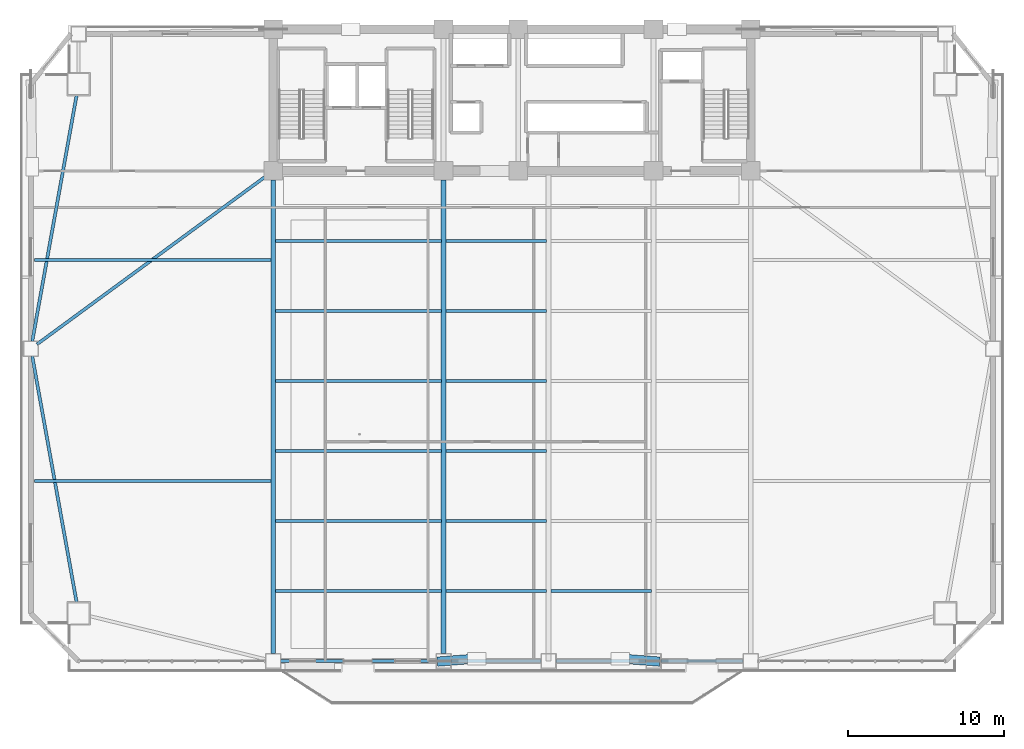
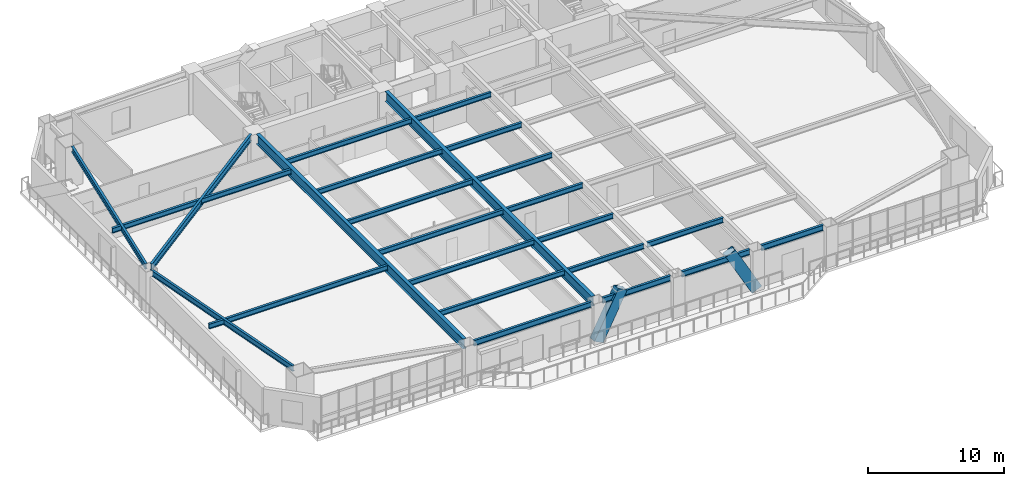
# One storey, part 3 of 16: 24 beams, 2 members.
"""IFC4 building model written with IfcOpenShell, lengths in metres."""

from ifc_helpers import new_model, si_unit, direction, frame, origin, origin_2d, place, context, subcontext, project, spatial, hollow_rectangle, i_section, extrude, source, transform, mapped, material, material_profile, profile_set, type_object, element, save


model = new_model("IFC4")

# Units and contexts
model_context = context("Model", 3, precision=1e-05, world=origin(), true_north=direction((0.0, 1.0)))
body_context = subcontext(model_context, "Body", "Model", "MODEL_VIEW")
ifc_project = project(units=[si_unit("LENGTHUNIT", "METRE"), si_unit("AREAUNIT", "SQUARE_METRE"), si_unit("VOLUMEUNIT", "CUBIC_METRE"), si_unit("PLANEANGLEUNIT", "RADIAN"), si_unit("MASSUNIT", "GRAM", prefix="KILO")], contexts=[model_context])

# Site, building, storey
site_placement = place(None, origin())
site = spatial("IfcSite", under=ifc_project, at=site_placement, CompositionType="ELEMENT")
building_placement = place(site_placement, origin())
building = spatial("IfcBuilding", under=site, at=building_placement, Name="Giltprow Tower", CompositionType="ELEMENT")
storey_placement = place(building_placement, frame((0.0, 0.0, 87.39990234375)))
storey = spatial("IfcBuildingStorey", under=building, at=storey_placement, Name="L21", CompositionType="ELEMENT", Elevation=87.39990234375)

# Beams
ifc_material_1 = material(Name="Structural steel Q355B", Category="steel")
ifc_material_profile_1 = material_profile(ifc_material_1, i_section(OverallWidth=0.199951171875, OverallDepth=0.449951171875, WebThickness=0.009033203125, FlangeThickness=0.013916015625, at=origin_2d()), Name="HN 450x200x9x14")
ifc_profile_set_1 = profile_set([ifc_material_profile_1], Name="Structural steel Q355B")
beam_type_1 = type_object("IfcBeamType", Name="BM-JOIST-HN450", PredefinedType="JOIST", material=ifc_profile_set_1)
shared_shape_1 = source(origin(), body_context, "Body", "SweptSolid", [
    extrude(i_section(OverallWidth=0.199951171875, OverallDepth=0.449951171875, WebThickness=0.009033203125, FlangeThickness=0.013916015625, at=origin_2d()), origin(), (0.0, 0.0, 1.0), 10.659912109375),
])
for number, where, z_axis, x_axis, name in (
    (1, (19.9951171875, 10.43798828125, 3.455078125), (1.0, 0.0, 0.0), (0.0, 1.0, 0.0), "L21 Composite Floor Joist 1-1"),
    (2, (19.9951171875, 14.93994140625, 3.455078125), (1.0, 0.0, 0.0), (0.0, 1.0, 0.0), "L21 Composite Floor Joist 2-1"),
    (3, (19.9951171875, 19.44189453125, 3.455078125), (1.0, 0.0, 0.0), (0.0, 1.0, 0.0), "L21 Composite Floor Joist 3-1"),
    (4, (19.9951171875, 23.944091796875, 3.455078125), (1.0, 0.0, 0.0), (0.0, 1.0, 0.0), "L21 Composite Floor Joist 4-1"),
    (5, (19.9951171875, 28.446044921875, 3.455078125), (1.0, 0.0, 0.0), (0.0, 1.0, 0.0), "L21 Composite Floor Joist 5-1"),
    (6, (19.9951171875, 32.947998046875, 3.455078125), (1.0, 0.0, 0.0), (0.0, 1.0, 0.0), "L21 Composite Floor Joist 6-1"),
):
    element("IfcBeam", number, at=place(storey_placement, frame(where, z_axis=z_axis, x_axis=x_axis)), inside=storey, type_object=beam_type_1, Name=name, PredefinedType="JOIST", context=body_context, shape_type="MappedRepresentation", body=[
        mapped(shared_shape_1, transform((0.0, 0.0, 0.0), x_axis=(1.0, 0.0, 0.0), y_axis=(0.0, 1.0, 0.0), z_axis=(0.0, 0.0, 1.0), scale=1.0)),
    ])
shared_shape_2 = source(origin(), body_context, "Body", "SweptSolid", [
    extrude(i_section(OverallWidth=0.199951171875, OverallDepth=0.449951171875, WebThickness=0.009033203125, FlangeThickness=0.013916015625, at=origin_2d()), origin(), (0.0, 0.0, 1.0), 6.4599609375),
])
for number, where, z_axis, x_axis, name in (
    (7, (30.945068359375, 10.43798828125, 3.455078125), (1.0, 0.0, 0.0), (0.0, 1.0, 0.0), "L21 Composite Floor Joist 1-2"),
    (8, (37.695068359375, 10.43798828125, 3.455078125), (1.0, 0.0, 0.0), (0.0, 1.0, 0.0), "L21 Composite Floor Joist 1-3"),
    (9, (30.945068359375, 14.93994140625, 3.455078125), (1.0, 0.0, 0.0), (0.0, 1.0, 0.0), "L21 Composite Floor Joist 2-2"),
    (10, (30.945068359375, 19.44189453125, 3.455078125), (1.0, 0.0, 0.0), (0.0, 1.0, 0.0), "L21 Composite Floor Joist 3-2"),
    (11, (30.945068359375, 23.944091796875, 3.455078125), (1.0, 0.0, 0.0), (0.0, 1.0, 0.0), "L21 Composite Floor Joist 4-2"),
    (12, (30.945068359375, 28.446044921875, 3.455078125), (1.0, 0.0, 0.0), (0.0, 1.0, 0.0), "L21 Composite Floor Joist 5-2"),
    (13, (30.945068359375, 32.947998046875, 3.455078125), (1.0, 0.0, 0.0), (0.0, 1.0, 0.0), "L21 Composite Floor Joist 6-2"),
):
    element("IfcBeam", number, at=place(storey_placement, frame(where, z_axis=z_axis, x_axis=x_axis)), inside=storey, type_object=beam_type_1, Name=name, PredefinedType="JOIST", context=body_context, shape_type="MappedRepresentation", body=[
        mapped(shared_shape_2, transform((0.0, 0.0, 0.0), x_axis=(1.0, 0.0, 0.0), y_axis=(0.0, 1.0, 0.0), z_axis=(0.0, 0.0, 1.0), scale=1.0)),
    ])
ifc_material_profile_2 = material_profile(ifc_material_1, i_section(OverallWidth=0.199951171875, OverallDepth=0.5, WebThickness=0.010009765625, FlangeThickness=0.01611328125, at=origin_2d()), Name="HN 500x200x10x16")
ifc_profile_set_2 = profile_set([ifc_material_profile_2], Name="Structural steel Q355B")
beam_type_2 = type_object("IfcBeamType", Name="BM-SPAN-HN500", PredefinedType="SPANDREL", material=ifc_profile_set_2)
shared_shape_3 = source(origin(), body_context, "Body", "SweptSolid", [
    extrude(i_section(OverallWidth=0.199951171875, OverallDepth=0.5, WebThickness=0.010009765625, FlangeThickness=0.01611328125, at=origin_2d()), origin(), (0.0, 0.0, 1.0), 9.97998046875),
])
beam_1_placement = place(storey_placement, frame((20.3349609375, 5.93603515625, 3.43017578125), z_axis=(1.0, 0.0, 0.0), x_axis=(0.0, 1.0, 0.0)))
element("IfcBeam", 14, at=beam_1_placement, inside=storey, type_object=beam_type_2, Name="L21 Perimeter Spandrel Beam S1-S2", PredefinedType="SPANDREL", context=body_context, shape_type="MappedRepresentation", body=[
    mapped(shared_shape_3, transform((0.0, 0.0, 0.0), x_axis=(1.0, 0.0, 0.0), y_axis=(0.0, 1.0, 0.0), z_axis=(0.0, 0.0, 1.0), scale=1.0)),
])
shared_shape_4 = source(origin(), body_context, "Body", "SweptSolid", [
    extrude(i_section(OverallWidth=0.199951171875, OverallDepth=0.5, WebThickness=0.010009765625, FlangeThickness=0.01611328125, at=origin_2d()), origin(), (0.0, 0.0, 1.0), 5.780029296875),
])
for number, where, z_axis, x_axis, name in (
    (15, (31.284912109375, 5.93603515625, 3.43017578125), (1.0, 0.0, 0.0), (0.0, 1.0, 0.0), "L21 Perimeter Spandrel Beam S2-S_MID"),
    (16, (38.034912109375, 5.93603515625, 3.43017578125), (1.0, 0.0, 0.0), (0.0, 1.0, 0.0), "L21 Perimeter Spandrel Beam S_MID-S3"),
):
    element("IfcBeam", number, at=place(storey_placement, frame(where, z_axis=z_axis, x_axis=x_axis)), inside=storey, type_object=beam_type_2, Name=name, PredefinedType="SPANDREL", context=body_context, shape_type="MappedRepresentation", body=[
        mapped(shared_shape_4, transform((0.0, 0.0, 0.0), x_axis=(1.0, 0.0, 0.0), y_axis=(0.0, 1.0, 0.0), z_axis=(0.0, 0.0, 1.0), scale=1.0)),
    ])
shared_shape_5 = source(origin(), body_context, "Body", "SweptSolid", [
    extrude(i_section(OverallWidth=0.199951171875, OverallDepth=0.5, WebThickness=0.010009765625, FlangeThickness=0.01611328125, at=origin_2d()), origin(), (0.0, 0.0, 1.0), 5.280029296875),
])
beam_2_placement = place(storey_placement, frame((44.784912109375, 5.93603515625, 3.43017578125), z_axis=(1.0, 0.0, 0.0), x_axis=(0.0, 1.0, 0.0)))
element("IfcBeam", 17, at=beam_2_placement, inside=storey, type_object=beam_type_2, Name="L21 Perimeter Spandrel Beam S3-S4", PredefinedType="SPANDREL", context=body_context, shape_type="MappedRepresentation", body=[
    mapped(shared_shape_5, transform((0.0, 0.0, 0.0), x_axis=(1.0, 0.0, 0.0), y_axis=(0.0, 1.0, 0.0), z_axis=(0.0, 0.0, 1.0), scale=1.0)),
])
shared_shape_6 = source(origin(), body_context, "Body", "SweptSolid", [
    extrude(i_section(OverallWidth=0.199951171875, OverallDepth=0.5, WebThickness=0.010009765625, FlangeThickness=0.01611328125, at=origin_2d()), origin(), (0.0, 0.0, 1.0), 16.0673828125),
])
beam_3_placement = place(storey_placement, frame((4.361083984375, 25.541015625, 3.43017578125), z_axis=(0.177566852067, -0.984108740459, 0.0), x_axis=(0.984108740459, 0.177566852067, 0.0)))
element("IfcBeam", 18, at=beam_3_placement, inside=storey, type_object=beam_type_2, Name="L21 Perimeter Spandrel Beam W_MID-MC_SW", PredefinedType="SPANDREL", context=body_context, shape_type="MappedRepresentation", body=[
    mapped(shared_shape_6, transform((0.0, 0.0, 0.0), x_axis=(1.0, 0.0, 0.0), y_axis=(0.0, 1.0, 0.0), z_axis=(0.0, 0.0, 1.0), scale=1.0)),
])
shared_shape_7 = source(origin(), body_context, "Body", "SweptSolid", [
    extrude(i_section(OverallWidth=0.199951171875, OverallDepth=0.5, WebThickness=0.010009765625, FlangeThickness=0.01611328125, at=origin_2d()), origin(), (0.0, 0.0, 1.0), 16.067138671875),
])
beam_4_placement = place(storey_placement, frame((7.214111328125, 42.306884765625, 3.43017578125), z_axis=(-0.177569507329, -0.984108261355, 0.0), x_axis=(0.984108261355, -0.177569507329, 0.0)))
element("IfcBeam", 19, at=beam_4_placement, inside=storey, type_object=beam_type_2, Name="L21 Perimeter Spandrel Beam MC_NW-W_MID", PredefinedType="SPANDREL", context=body_context, shape_type="MappedRepresentation", body=[
    mapped(shared_shape_7, transform((0.0, 0.0, 0.0), x_axis=(1.0, 0.0, 0.0), y_axis=(0.0, 1.0, 0.0), z_axis=(0.0, 0.0, 1.0), scale=1.0)),
])
ifc_material_profile_3 = material_profile(ifc_material_1, i_section(OverallWidth=0.300048828125, OverallDepth=0.89990234375, WebThickness=0.01611328125, FlangeThickness=0.028076171875, at=origin_2d()), Name="HN 900x300x16x28")
ifc_profile_set_3 = profile_set([ifc_material_profile_3], Name="Structural steel Q355B")
beam_type_3 = type_object("IfcBeamType", Name="BM-GIRD-HN900", PredefinedType="BEAM", material=ifc_profile_set_3)
shared_shape_8 = source(origin(), body_context, "Body", "SweptSolid", [
    extrude(i_section(OverallWidth=0.300048828125, OverallDepth=0.89990234375, WebThickness=0.01611328125, FlangeThickness=0.028076171875, at=origin_2d()), origin(), (0.0, 0.0, 1.0), 30.444091796875),
])
for number, where, z_axis, x_axis, name in (
    (20, (19.85009765625, 6.4208984375, 3.22998046875), (0.0, 1.0, 0.0), (-1.0, 0.0, 0.0), "L21 Primary Lease Girder S1"),
    (21, (30.800048828125, 6.4208984375, 3.22998046875), (0.0, 1.0, 0.0), (-1.0, 0.0, 0.0), "L21 Primary Lease Girder S2"),
):
    element("IfcBeam", number, at=place(storey_placement, frame(where, z_axis=z_axis, x_axis=x_axis)), inside=storey, type_object=beam_type_3, Name=name, PredefinedType="BEAM", context=body_context, shape_type="MappedRepresentation", body=[
        mapped(shared_shape_8, transform((0.0, 0.0, 0.0), x_axis=(1.0, 0.0, 0.0), y_axis=(0.0, 1.0, 0.0), z_axis=(0.0, 0.0, 1.0), scale=1.0)),
    ])
ifc_material_profile_4 = material_profile(ifc_material_1, i_section(OverallWidth=0.199951171875, OverallDepth=0.60009765625, WebThickness=0.010986328125, FlangeThickness=0.01708984375, at=origin_2d()), Name="HN 600x200x11x17")
ifc_profile_set_4 = profile_set([ifc_material_profile_4], Name="Structural steel Q355B")
beam_type_4 = type_object("IfcBeamType", Name="BM-GIRD-HN600", PredefinedType="BEAM", material=ifc_profile_set_4)
shared_shape_9 = source(origin(), body_context, "Body", "SweptSolid", [
    extrude(i_section(OverallWidth=0.199951171875, OverallDepth=0.60009765625, WebThickness=0.010986328125, FlangeThickness=0.01708984375, at=origin_2d()), origin(), (0.0, 0.0, 1.0), 18.25),
])
beam_5_placement = place(storey_placement, frame((4.666015625, 26.304931640625, 3.380126953125), z_axis=(0.806134846407, 0.591731872903, 0.0), x_axis=(-0.591731872903, 0.806134846407, 0.0)))
element("IfcBeam", 22, at=beam_5_placement, inside=storey, type_object=beam_type_4, Name="L21 West Wing Primary Girder", PredefinedType="BEAM", context=body_context, shape_type="MappedRepresentation", body=[
    mapped(shared_shape_9, transform((0.0, 0.0, 0.0), x_axis=(1.0, 0.0, 0.0), y_axis=(0.0, 1.0, 0.0), z_axis=(0.0, 0.0, 1.0), scale=1.0)),
])
shared_shape_10 = source(origin(), body_context, "Body", "SweptSolid", [
    extrude(i_section(OverallWidth=0.199951171875, OverallDepth=0.449951171875, WebThickness=0.009033203125, FlangeThickness=0.013916015625, at=origin_2d()), origin(), (0.0, 0.0, 1.0), 15.2099609375),
])
for number, where, z_axis, x_axis, name in (
    (23, (4.4951171875, 17.511962890625, 3.455078125), (1.0, 0.0, 0.0), (0.0, 1.0, 0.0), "L21 West Wing Floor Joist 1"),
    (24, (4.4951171875, 31.73388671875, 3.455078125), (1.0, 0.0, 0.0), (0.0, 1.0, 0.0), "L21 West Wing Floor Joist 2"),
):
    element("IfcBeam", number, at=place(storey_placement, frame(where, z_axis=z_axis, x_axis=x_axis)), inside=storey, type_object=beam_type_1, Name=name, PredefinedType="JOIST", context=body_context, shape_type="MappedRepresentation", body=[
        mapped(shared_shape_10, transform((0.0, 0.0, 0.0), x_axis=(1.0, 0.0, 0.0), y_axis=(0.0, 1.0, 0.0), z_axis=(0.0, 0.0, 1.0), scale=1.0)),
    ])

# Members
ifc_material_2 = material(Name="Structural steel Q420GJC", Category="steel")
ifc_material_profile_5 = material_profile(ifc_material_2, hollow_rectangle(XDim=0.60009765625, YDim=0.89990234375, WallThickness=0.0400390625, at=origin_2d()), Name="RHS 900x600x40")
ifc_profile_set_5 = profile_set([ifc_material_profile_5], Name="Structural steel Q420GJC")
member_type = type_object("IfcMemberType", Name="MBR-MEGA-RHS900", PredefinedType="BRACE", material=ifc_profile_set_5)
shared_shape_11 = source(origin(), body_context, "Body", "SweptSolid", [
    extrude(hollow_rectangle(XDim=0.60009765625, YDim=0.89990234375, WallThickness=0.0400390625, at=origin_2d()), origin(), (0.0, 0.0, 1.0), 4.45166015625),
])
member_1_placement = place(storey_placement, frame((30.800048828125, 5.93603515625, 0.0), z_axis=(0.480684597253, 0.037511496237, 0.876090866071), x_axis=(-0.077801109813, 0.996968899872, 0.0)))
element("IfcMember", 25, at=member_1_placement, inside=storey, type_object=member_type, Name="L21 Chevron Mega-Brace S-L", PredefinedType="BRACE", context=body_context, shape_type="MappedRepresentation", body=[
    mapped(shared_shape_11, transform((0.0, 0.0, 0.0), x_axis=(1.0, 0.0, 0.0), y_axis=(0.0, 1.0, 0.0), z_axis=(0.0, 0.0, 1.0), scale=1.0)),
])
shared_shape_12 = source(origin(), body_context, "Body", "SweptSolid", [
    extrude(hollow_rectangle(XDim=0.60009765625, YDim=0.89990234375, WallThickness=0.0400390625, at=origin_2d()), origin(), (0.0, 0.0, 1.0), 4.451904296875),
])
member_2_placement = place(storey_placement, frame((44.300048828125, 5.93603515625, 0.0), z_axis=(-0.480726765435, 0.037510507365, 0.876067770684), x_axis=(-0.0777922882, -0.996969588251, 0.0)))
element("IfcMember", 26, at=member_2_placement, inside=storey, type_object=member_type, Name="L21 Chevron Mega-Brace S-R", PredefinedType="BRACE", context=body_context, shape_type="MappedRepresentation", body=[
    mapped(shared_shape_12, transform((0.0, 0.0, 0.0), x_axis=(1.0, 0.0, 0.0), y_axis=(0.0, 1.0, 0.0), z_axis=(0.0, 0.0, 1.0), scale=1.0)),
])

save(model, "model.ifc")
